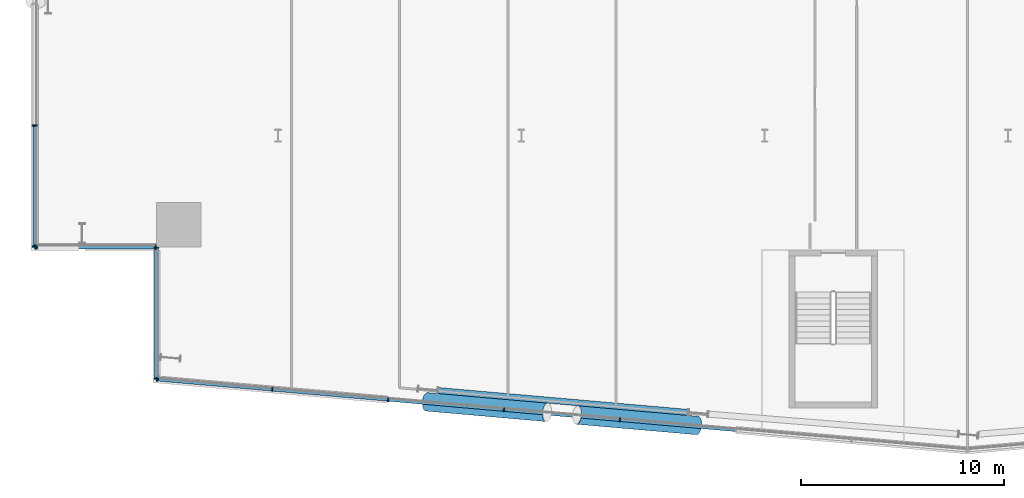
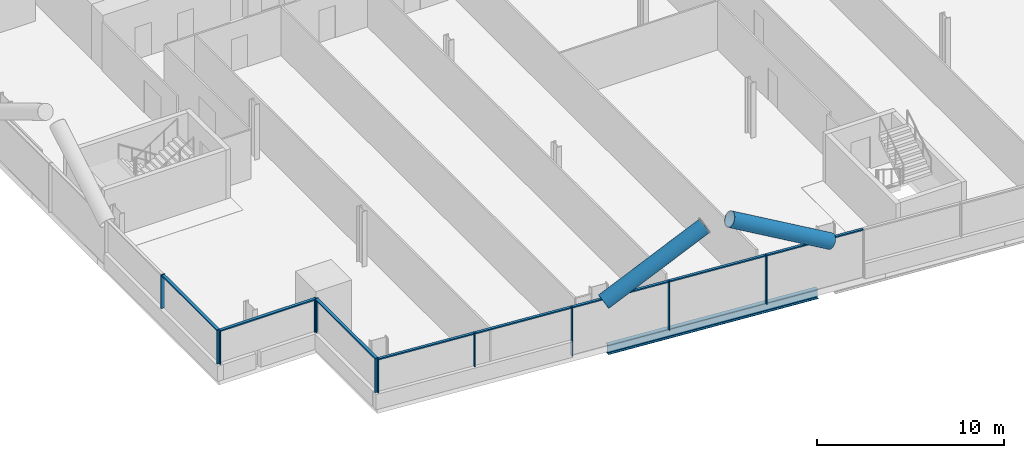
# One storey, part 4 of 24: 21 members, 1 beam, 4 elements without a shape of their own.
"""IFC4 building model written with IfcOpenShell, lengths in metres."""

from ifc_helpers import new_model, si_unit, direction, frame, origin, origin_2d, place, context, subcontext, project, spatial, rectangle, hollow_circle, i_section, extrude, material, material_profile, profile_set, type_object, element, aggregate, save


model = new_model("IFC4")

# Units and contexts
model_context = context("Model", 3, precision=1e-05, world=origin(), true_north=direction((0.0, 1.0)))
body_context = subcontext(model_context, "Body", "Model", "MODEL_VIEW")
ifc_project = project(units=[si_unit("LENGTHUNIT", "METRE"), si_unit("AREAUNIT", "SQUARE_METRE"), si_unit("VOLUMEUNIT", "CUBIC_METRE"), si_unit("PLANEANGLEUNIT", "RADIAN"), si_unit("MASSUNIT", "GRAM", prefix="KILO")], contexts=[model_context])

# Site, building, storey
site_placement = place(None, origin())
site = spatial("IfcSite", under=ifc_project, at=site_placement, CompositionType="ELEMENT")
building_placement = place(site_placement, origin())
building = spatial("IfcBuilding", under=site, at=building_placement, Name="Wharfspan Tower", CompositionType="ELEMENT")
storey_placement = place(building_placement, frame((0.0, 0.0, 66.699951)))
storey = spatial("IfcBuildingStorey", under=building, at=storey_placement, Name="L13", CompositionType="ELEMENT", Elevation=66.699951)

# Beam
ifc_material_1 = material(Name="Steel S355J2", Category="steel")
ifc_material_profile_1 = material_profile(ifc_material_1, i_section(OverallWidth=0.300049, OverallDepth=0.600098, WebThickness=0.015381, FlangeThickness=0.030029, FilletRadius=0.0271, at=origin_2d()))
ifc_profile_set_1 = profile_set([ifc_material_profile_1], Name="Steel S355J2")
beam_type = type_object("IfcBeamType", Name="Edge beam HEB 600", PredefinedType="SPANDREL", material=ifc_profile_set_1)
beam_placement = place(storey_placement, frame((19.888916, -1.077637, -0.699951), z_axis=(0.996195, -0.087154, 0.0), x_axis=(0.087154, 0.996195, 0.0)))
element("IfcBeam", 1, at=beam_placement, inside=storey, type_object=beam_type, Name="Edge beam S1 L13 PS1.2 to PS1.3", PredefinedType="SPANDREL", context=body_context, shape_type="SweptSolid", body=[
    extrude(i_section(OverallWidth=0.300049, OverallDepth=0.600098, WebThickness=0.015381, FlangeThickness=0.030029, FilletRadius=0.0271, at=origin_2d()), origin(), (0.0, 0.0, 1.0), 12.384277),
])

# Curtain wall, members
ifc_material_2 = material(Name="Aluminium 6063-T6", Category="aluminium")
curtain_wall_type_1 = type_object("IfcCurtainWallType", Name="CURTAIN WALL FACETED FRONT", PredefinedType="NOTDEFINED", material=ifc_material_2)
curtain_wall_1_placement = place(storey_placement, origin())
curtain_wall_1 = element("IfcCurtainWall", 2, at=curtain_wall_1_placement, inside=storey, type_object=curtain_wall_type_1, Name="Curtain wall S1", PredefinedType="NOTDEFINED")
ifc_material_profile_2 = material_profile(ifc_material_2, rectangle(XDim=0.199951, YDim=0.060059, at=origin_2d()))
ifc_profile_set_2 = profile_set([ifc_material_profile_2], Name="Aluminium 6063-T6")
member_type_1 = type_object("IfcMemberType", Name="MULLION FACETED FRONT 60x200", PredefinedType="MULLION", material=ifc_profile_set_2)
member_1_placement = place(storey_placement, frame((6.029785, -0.527588, 1.0), z_axis=(0.0, 0.0, 1.0), x_axis=(0.087156, 0.996197, 0.0)))
member_1 = element("IfcMember", 3, at=member_1_placement, type_object=member_type_1, Name="Curtain wall S1 mullion 1", PredefinedType="MULLION", context=body_context, shape_type="SweptSolid", body=[
    extrude(rectangle(XDim=0.199951, YDim=0.060059, at=origin_2d()), origin(), (0.0, 0.0, 1.0), 2.199951),
])
member_2_placement = place(storey_placement, frame((11.714355, -1.024902, 1.0), z_axis=(0.0, 0.0, 1.0), x_axis=(0.087156, 0.996197, 0.0)))
member_2 = element("IfcMember", 4, at=member_2_placement, type_object=member_type_1, Name="Curtain wall S1 mullion 2", PredefinedType="MULLION", context=body_context, shape_type="SweptSolid", body=[
    extrude(rectangle(XDim=0.199951, YDim=0.060059, at=origin_2d()), origin(), (0.0, 0.0, 1.0), 2.199951),
])
member_3_placement = place(storey_placement, frame((17.428467, -1.524902, 0.0), z_axis=(0.0, 0.0, 1.0), x_axis=(0.087156, 0.996197, 0.0)))
member_3 = element("IfcMember", 5, at=member_3_placement, type_object=member_type_1, Name="Curtain wall S1 mullion 3", PredefinedType="MULLION", context=body_context, shape_type="SweptSolid", body=[
    extrude(rectangle(XDim=0.199951, YDim=0.060059, at=origin_2d()), origin(), (0.0, 0.0, 1.0), 3.199951),
])
member_4_placement = place(storey_placement, frame((23.142822, -2.024658, 0.0), z_axis=(0.0, 0.0, 1.0), x_axis=(0.087156, 0.996197, 0.0)))
member_4 = element("IfcMember", 6, at=member_4_placement, type_object=member_type_1, Name="Curtain wall S1 mullion 4", PredefinedType="MULLION", context=body_context, shape_type="SweptSolid", body=[
    extrude(rectangle(XDim=0.199951, YDim=0.060059, at=origin_2d()), origin(), (0.0, 0.0, 1.0), 3.199951),
])
member_5_placement = place(storey_placement, frame((28.857178, -2.524658, 0.0), z_axis=(0.0, 0.0, 1.0), x_axis=(0.087156, 0.996197, 0.0)))
member_5 = element("IfcMember", 7, at=member_5_placement, type_object=member_type_1, Name="Curtain wall S1 mullion 5", PredefinedType="MULLION", context=body_context, shape_type="SweptSolid", body=[
    extrude(rectangle(XDim=0.199951, YDim=0.060059, at=origin_2d()), origin(), (0.0, 0.0, 1.0), 3.199951),
])

curtain_wall_type_2 = type_object("IfcCurtainWallType", Name="CURTAIN WALL PROW AND END", PredefinedType="NOTDEFINED", material=ifc_material_2)
curtain_wall_2_placement = place(storey_placement, origin())
curtain_wall_2 = element("IfcCurtainWall", 8, at=curtain_wall_2_placement, inside=storey, type_object=curtain_wall_type_2, Name="Curtain wall W", PredefinedType="NOTDEFINED")
ifc_material_profile_3 = material_profile(ifc_material_2, rectangle(XDim=0.23999, YDim=0.060059, at=origin_2d()))
ifc_profile_set_3 = profile_set([ifc_material_profile_3], Name="Aluminium 6063-T6")
member_type_2 = type_object("IfcMemberType", Name="MULLION PROW AND END 60x240", PredefinedType="MULLION", material=ifc_profile_set_3)
member_6_placement = place(storey_placement, frame((0.0, 12.0, 1.0), z_axis=(0.0, 0.0, 1.0), x_axis=(1.0, 0.0, 0.0)))
member_6 = element("IfcMember", 9, at=member_6_placement, type_object=member_type_2, Name="Curtain wall W mullion 6", PredefinedType="MULLION", context=body_context, shape_type="SweptSolid", body=[
    extrude(rectangle(XDim=0.23999, YDim=0.060059, at=origin_2d()), origin(), (0.0, 0.0, 1.0), 2.199951),
])
member_7_placement = place(storey_placement, frame((0.0, 6.030029, 1.0), z_axis=(0.0, 0.0, 1.0), x_axis=(1.0, 0.0, 0.0)))
member_7 = element("IfcMember", 10, at=member_7_placement, type_object=member_type_2, Name="Curtain wall W mullion 7", PredefinedType="MULLION", context=body_context, shape_type="SweptSolid", body=[
    extrude(rectangle(XDim=0.23999, YDim=0.060059, at=origin_2d()), origin(), (0.0, 0.0, 1.0), 2.199951),
])

curtain_wall_3_placement = place(storey_placement, origin())
curtain_wall_3 = element("IfcCurtainWall", 11, at=curtain_wall_3_placement, inside=storey, type_object=curtain_wall_type_2, Name="Curtain wall NFW-H", PredefinedType="NOTDEFINED")
member_8_placement = place(storey_placement, frame((0.030029, 6.0, 1.0), z_axis=(0.0, 0.0, 1.0), x_axis=(0.0, 1.0, 0.0)))
member_8 = element("IfcMember", 12, at=member_8_placement, type_object=member_type_2, Name="Curtain wall NFW-H mullion 1", PredefinedType="MULLION", context=body_context, shape_type="SweptSolid", body=[
    extrude(rectangle(XDim=0.23999, YDim=0.060059, at=origin_2d()), origin(), (0.0, 0.0, 1.0), 2.199951),
])
member_9_placement = place(storey_placement, frame((5.969971, 6.0, 1.0), z_axis=(0.0, 0.0, 1.0), x_axis=(0.0, 1.0, 0.0)))
member_9 = element("IfcMember", 13, at=member_9_placement, type_object=member_type_2, Name="Curtain wall NFW-H mullion 2", PredefinedType="MULLION", context=body_context, shape_type="SweptSolid", body=[
    extrude(rectangle(XDim=0.23999, YDim=0.060059, at=origin_2d()), origin(), (0.0, 0.0, 1.0), 2.199951),
])

curtain_wall_4_placement = place(storey_placement, origin())
curtain_wall_4 = element("IfcCurtainWall", 14, at=curtain_wall_4_placement, inside=storey, type_object=curtain_wall_type_2, Name="Curtain wall NFW-V", PredefinedType="NOTDEFINED")
member_10_placement = place(storey_placement, frame((6.0, 5.969971, 1.0), z_axis=(0.0, 0.0, 1.0), x_axis=(1.0, 0.0, 0.0)))
member_10 = element("IfcMember", 15, at=member_10_placement, type_object=member_type_2, Name="Curtain wall NFW-V mullion 1", PredefinedType="MULLION", context=body_context, shape_type="SweptSolid", body=[
    extrude(rectangle(XDim=0.23999, YDim=0.060059, at=origin_2d()), origin(), (0.0, 0.0, 1.0), 2.199951),
])
member_11_placement = place(storey_placement, frame((6.0, -0.494873, 1.0), z_axis=(0.0, 0.0, 1.0), x_axis=(1.0, 0.0, 0.0)))
member_11 = element("IfcMember", 16, at=member_11_placement, type_object=member_type_2, Name="Curtain wall NFW-V mullion 2", PredefinedType="MULLION", context=body_context, shape_type="SweptSolid", body=[
    extrude(rectangle(XDim=0.23999, YDim=0.060059, at=origin_2d()), origin(), (0.0, 0.0, 1.0), 2.199951),
])

# Members
ifc_material_3 = material(Name="Steel S460NH", Category="steel")
ifc_material_profile_4 = material_profile(ifc_material_3, hollow_circle(Radius=0.457031, WallThickness=0.040039, at=origin_2d()))
ifc_profile_set_4 = profile_set([ifc_material_profile_4], Name="Steel S460NH")
member_type_3 = type_object("IfcMemberType", Name="Mega brace CHS 914x40", PredefinedType="BRACE", material=ifc_profile_set_4)
for number, where, z_axis, x_axis, name in (
    (17, (19.338135, -1.636719, 2.900146), (0.877314, -0.076746, 0.47374), (0.087144, 0.996196, 3e-06), "Mega brace S1 L14 part 1"),
    (18, (32.671387, -2.803223, 2.900146), (-0.877314, 0.076746, 0.47374), (-0.087144, -0.996196, 3e-06), "Mega brace S1 L14 part 3"),
):
    element("IfcMember", number, at=place(storey_placement, frame(where, z_axis=z_axis, x_axis=x_axis)), inside=storey, type_object=member_type_3, Name=name, PredefinedType="BRACE", context=body_context, shape_type="SweptSolid", body=[
        extrude(hollow_circle(Radius=0.457031, WallThickness=0.040039, at=origin_2d()), origin(), (0.0, 0.0, 1.0), 6.753662),
    ])

# Member
ifc_material_profile_5 = material_profile(ifc_material_2, rectangle(XDim=0.159912, YDim=0.080078, at=origin_2d()))
ifc_profile_set_5 = profile_set([ifc_material_profile_5], Name="Aluminium 6063-T6")
member_type_4 = type_object("IfcMemberType", Name="TRANSOM FACETED FRONT 80x160", PredefinedType="USERDEFINED", material=ifc_profile_set_5)
member_12_placement = place(storey_placement, frame((6.059814, -0.530273, 3.160156), z_axis=(0.996197, -0.087132, 0.0), x_axis=(0.087132, 0.996197, 0.0)))
member_12 = element("IfcMember", 19, at=member_12_placement, type_object=member_type_4, Name="Curtain wall S1 transom 1", ObjectType="TRANSOM", PredefinedType="USERDEFINED", context=body_context, shape_type="SweptSolid", body=[
    extrude(rectangle(XDim=0.159912, YDim=0.080078, at=origin_2d()), origin(), (0.0, 0.0, 1.0), 5.645996),
])

member_13_placement = place(storey_placement, frame((11.744141, -1.027588, 3.160156), z_axis=(0.996196, -0.087142, 0.0), x_axis=(0.087142, 0.996196, 0.0)))
member_13 = element("IfcMember", 20, at=member_13_placement, type_object=member_type_4, Name="Curtain wall S1 transom 2", ObjectType="TRANSOM", PredefinedType="USERDEFINED", context=body_context, shape_type="SweptSolid", body=[
    extrude(rectangle(XDim=0.159912, YDim=0.080078, at=origin_2d()), origin(), (0.0, 0.0, 1.0), 5.676025),
])

member_14_placement = place(storey_placement, frame((17.458496, -1.527344, 3.160156), z_axis=(0.996192, -0.087185, 0.0), x_axis=(0.087185, 0.996192, 0.0)))
member_14 = element("IfcMember", 21, at=member_14_placement, type_object=member_type_4, Name="Curtain wall S1 transom 3", ObjectType="TRANSOM", PredefinedType="USERDEFINED", context=body_context, shape_type="SweptSolid", body=[
    extrude(rectangle(XDim=0.159912, YDim=0.080078, at=origin_2d()), origin(), (0.0, 0.0, 1.0), 5.67627),
])

member_15_placement = place(storey_placement, frame((23.172852, -2.027344, 3.160156), z_axis=(0.996196, -0.087146, 0.0), x_axis=(0.087146, 0.996196, 0.0)))
member_15 = element("IfcMember", 22, at=member_15_placement, type_object=member_type_4, Name="Curtain wall S1 transom 4", ObjectType="TRANSOM", PredefinedType="USERDEFINED", context=body_context, shape_type="SweptSolid", body=[
    extrude(rectangle(XDim=0.159912, YDim=0.080078, at=origin_2d()), origin(), (0.0, 0.0, 1.0), 5.675781),
])

member_16_placement = place(storey_placement, frame((28.886963, -2.527344, 3.160156), z_axis=(0.996196, -0.087142, 0.0), x_axis=(0.087142, 0.996196, 0.0)))
member_16 = element("IfcMember", 23, at=member_16_placement, type_object=member_type_4, Name="Curtain wall S1 transom 5", ObjectType="TRANSOM", PredefinedType="USERDEFINED", context=body_context, shape_type="SweptSolid", body=[
    extrude(rectangle(XDim=0.159912, YDim=0.080078, at=origin_2d()), origin(), (0.0, 0.0, 1.0), 5.676025),
])

aggregate(curtain_wall_1, [member_1, member_2, member_3, member_4, member_5, member_12, member_13, member_14, member_15, member_16])

ifc_material_profile_6 = material_profile(ifc_material_2, rectangle(XDim=0.179932, YDim=0.080078, at=origin_2d()))
ifc_profile_set_6 = profile_set([ifc_material_profile_6], Name="Aluminium 6063-T6")
member_type_5 = type_object("IfcMemberType", Name="TRANSOM PROW AND END 80x180", PredefinedType="USERDEFINED", material=ifc_profile_set_6)
member_17_placement = place(storey_placement, frame((0.0, 11.969971, 3.160156), z_axis=(0.0, -1.0, 0.0), x_axis=(1.0, 0.0, 0.0)))
member_17 = element("IfcMember", 24, at=member_17_placement, type_object=member_type_5, Name="Curtain wall W transom 6", ObjectType="TRANSOM", PredefinedType="USERDEFINED", context=body_context, shape_type="SweptSolid", body=[
    extrude(rectangle(XDim=0.179932, YDim=0.080078, at=origin_2d()), origin(), (0.0, 0.0, 1.0), 5.909912),
])

aggregate(curtain_wall_2, [member_6, member_7, member_17])

member_18_placement = place(storey_placement, frame((0.060059, 6.0, 3.160156), z_axis=(1.0, 0.0, 0.0), x_axis=(0.0, 1.0, 0.0)))
member_18 = element("IfcMember", 25, at=member_18_placement, type_object=member_type_5, Name="Curtain wall NFW-H transom 1", ObjectType="TRANSOM", PredefinedType="USERDEFINED", context=body_context, shape_type="SweptSolid", body=[
    extrude(rectangle(XDim=0.179932, YDim=0.080078, at=origin_2d()), origin(), (0.0, 0.0, 1.0), 5.879883),
])

aggregate(curtain_wall_3, [member_8, member_9, member_18])

member_19_placement = place(storey_placement, frame((6.0, 5.939941, 3.160156), z_axis=(0.0, -1.0, 0.0), x_axis=(1.0, 0.0, 0.0)))
member_19 = element("IfcMember", 26, at=member_19_placement, type_object=member_type_5, Name="Curtain wall NFW-V transom 1", ObjectType="TRANSOM", PredefinedType="USERDEFINED", context=body_context, shape_type="SweptSolid", body=[
    extrude(rectangle(XDim=0.179932, YDim=0.080078, at=origin_2d()), origin(), (0.0, 0.0, 1.0), 6.404785),
])

aggregate(curtain_wall_4, [member_10, member_11, member_19])

save(model, "model.ifc")
